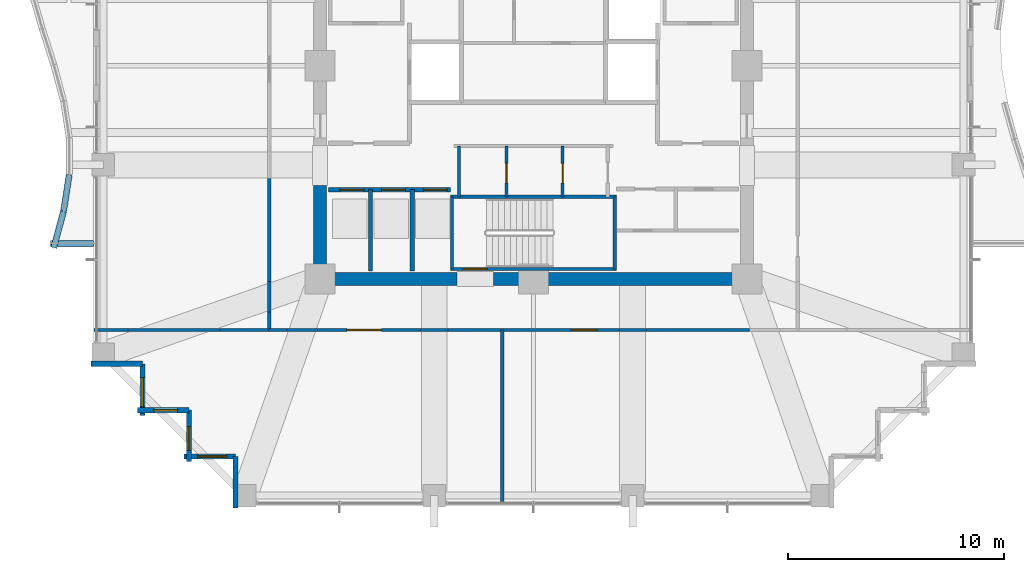
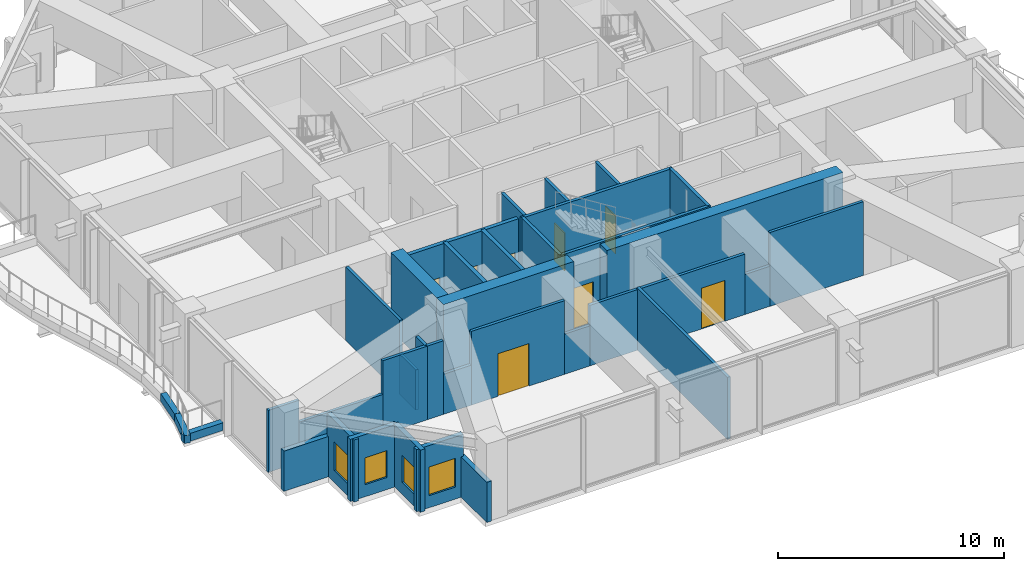
# One storey, part 33 of 40: 36 walls, 8 doors, 4 windows, 12 openings.
"""IFC4 building model written with IfcOpenShell, lengths in metres."""

from ifc_helpers import new_model, si_unit, direction, frame, frame_2d, origin, place, context, subcontext, project, spatial, rectangle, extrude, material, layer, layer_set, type_object, element, fill, save


model = new_model("IFC4")

# Units and contexts
model_context = context("Model", 3, precision=1e-05, world=origin(), true_north=direction((0.0, 1.0)))
body_context = subcontext(model_context, "Body", "Model", "MODEL_VIEW")
ifc_project = project(units=[si_unit("LENGTHUNIT", "METRE"), si_unit("AREAUNIT", "SQUARE_METRE"), si_unit("VOLUMEUNIT", "CUBIC_METRE"), si_unit("PLANEANGLEUNIT", "RADIAN"), si_unit("MASSUNIT", "GRAM", prefix="KILO")], contexts=[model_context])

# Site, building, storey
site_placement = place(None, origin())
site = spatial("IfcSite", under=ifc_project, at=site_placement, CompositionType="ELEMENT")
building_placement = place(site_placement, origin())
building = spatial("IfcBuilding", under=site, at=building_placement, Name="Kolvaren Belvedere", CompositionType="ELEMENT")
storey_placement = place(building_placement, frame((0.0, 0.0, 68.0)))
storey = spatial("IfcBuildingStorey", under=building, at=storey_placement, Name="L19", CompositionType="ELEMENT", Elevation=68.0)

# Walls
ifc_material_1 = material(Name="Concrete C60/75", Category="concrete")
ifc_layer_1 = layer(ifc_material_1, 0.60009765625)
ifc_layer_set_1 = layer_set([ifc_layer_1], Name="Concrete C60/75")
wall_type_1 = type_object("IfcWallType", Name="CW-CORE-600", PredefinedType="SHEAR", material=ifc_layer_set_1)
wall_1_placement = place(storey_placement, frame((10.199951171875, -9.89990234375, 0.0), z_axis=(0.0, 0.0, 1.0), x_axis=(-1.0, 0.0, 0.0)))
element("IfcWall", 1, at=wall_1_placement, inside=storey, type_object=wall_type_1, Name="L19 South Core Shear Wall 1", PredefinedType="SHEAR", context=body_context, shape_type="SweptSolid", body=[
    extrude(rectangle(XDim=12.06005859375, YDim=0.60009765625, at=frame_2d((6.030029296875, 0.0))), origin(), (0.0, 0.0, 1.0), 4.199951171875),
])
wall_2_placement = place(storey_placement, frame((-3.5400390625, -9.89990234375, 0.0), z_axis=(0.0, 0.0, 1.0), x_axis=(-1.0, 0.0, 0.0)))
element("IfcWall", 2, at=wall_2_placement, inside=storey, type_object=wall_type_1, Name="L19 South Core Shear Wall 2", PredefinedType="SHEAR", context=body_context, shape_type="SweptSolid", body=[
    extrude(rectangle(XDim=6.659912109375, YDim=0.60009765625, at=frame_2d((3.330078125, 0.0))), origin(), (0.0, 0.0, 1.0), 4.199951171875),
])
wall_3_placement = place(storey_placement, frame((-9.89990234375, -9.60009765625, 0.0), z_axis=(0.0, 0.0, 1.0), x_axis=(0.0, 1.0, 0.0)))
element("IfcWall", 3, at=wall_3_placement, inside=storey, type_object=wall_type_1, Name="L19 West Core Shear Wall 1", PredefinedType="SHEAR", context=body_context, shape_type="SweptSolid", body=[
    extrude(rectangle(XDim=4.050048828125, YDim=0.60009765625, at=frame_2d((2.02490234375, 0.0))), origin(), (0.0, 0.0, 1.0), 4.199951171875),
])

# Wall, opening, door
ifc_material_2 = material(Name="Concrete C50/60", Category="concrete")
ifc_layer_2 = layer(ifc_material_2, 0.159912109375)
ifc_layer_set_2 = layer_set([ifc_layer_2], Name="Concrete C50/60")
wall_type_2 = type_object("IfcWallType", Name="CW-STAIR-160", PredefinedType="SHEAR", material=ifc_layer_set_2)
wall_4_placement = place(storey_placement, frame((3.860107421875, -9.429931640625, 0.0), z_axis=(0.0, 0.0, 1.0), x_axis=(-1.0, 0.0, 0.0)))
wall_4 = element("IfcWall", 4, at=wall_4_placement, inside=storey, type_object=wall_type_2, Name="L19 Stair ST-3 South Shear Wall", PredefinedType="SHEAR", context=body_context, shape_type="SweptSolid", body=[
    extrude(rectangle(XDim=7.72021484375, YDim=0.159912109375, at=frame_2d((3.860107421875, 0.0))), origin(), (0.0, 0.0, 1.0), 4.199951171875),
])
opening_1_placement = place(wall_4_placement, frame((6.010009765625, 0.0, 0.0)))
opening_1 = element("IfcOpeningElement", 5, at=opening_1_placement, cuts=wall_4, Name="Opening D-FD90", PredefinedType="OPENING", context=body_context, shape_type="SweptSolid", body=[
    extrude(rectangle(XDim=1.10009765625, YDim=2.199951171875, at=frame_2d((0.550048828125, 1.10009765625))), frame((0.0, 0.08984375, 0.0), z_axis=(0.0, -1.0, 0.0), x_axis=(1.0, 0.0, 0.0)), (0.0, 0.0, 1.0), 0.179931640625),
])
ifc_material_3 = material(Name="Painted hollow stainless steel", Category="steel")
door_type_1 = type_object("IfcDoorType", Name="DR-FD90-1100", OperationType="NOTDEFINED", PredefinedType="DOOR", material=ifc_material_3)
door_1_placement = place(opening_1_placement, origin())
door_1 = element("IfcDoor", 6, at=door_1_placement, inside=storey, type_object=door_type_1, Name="L19 Stair ST-3 Exit Door", OperationType="SINGLE_SWING_RIGHT", OverallHeight=2.199951171875, OverallWidth=1.10009765625, PredefinedType="DOOR", context=body_context, shape_type="SweptSolid", body=[
    extrude(rectangle(XDim=1.10009765625, YDim=2.199951171875, at=frame_2d((0.550048828125, 1.10009765625))), frame((0.0, 0.02490234375, 0.0), z_axis=(0.0, -1.0, 0.0), x_axis=(1.0, 0.0, 0.0)), (0.0, 0.0, 1.0), 0.050048828125),
])
fill(opening_1, door_1)

# Walls
wall_5_placement = place(storey_placement, frame((-3.860107421875, -6.080078125, 0.0), z_axis=(0.0, 0.0, 1.0), x_axis=(1.0, 0.0, 0.0)))
element("IfcWall", 7, at=wall_5_placement, inside=storey, type_object=wall_type_2, Name="L19 Stair ST-3 North Shear Wall", PredefinedType="SHEAR", context=body_context, shape_type="SweptSolid", body=[
    extrude(rectangle(XDim=7.72021484375, YDim=0.159912109375, at=frame_2d((3.860107421875, 0.0))), origin(), (0.0, 0.0, 1.0), 4.199951171875),
])
for number, where, z_axis, x_axis, name in (
    (8, (-3.780029296875, -9.429931640625, 0.0), (0.0, 0.0, 1.0), (0.0, 1.0, 0.0), "L19 Stair ST-3 West Shear Wall"),
    (9, (3.780029296875, -9.429931640625, 0.0), (0.0, 0.0, 1.0), (0.0, 1.0, 0.0), "L19 Stair ST-3 East Shear Wall"),
):
    element("IfcWall", number, at=place(storey_placement, frame(where, z_axis=z_axis, x_axis=x_axis)), inside=storey, type_object=wall_type_2, Name=name, PredefinedType="SHEAR", context=body_context, shape_type="SweptSolid", body=[
        extrude(rectangle(XDim=3.349853515625, YDim=0.159912109375, at=frame_2d((1.6748046875, 0.0))), origin(), (0.0, 0.0, 1.0), 4.199951171875),
    ])
ifc_material_4 = material(Name="Gypsum fire-rated partition assembly", Category="gypsum")
ifc_layer_3 = layer(ifc_material_4, 0.14990234375)
ifc_layer_set_3 = layer_set([ifc_layer_3], Name="Gypsum fire-rated partition assembly")
wall_type_3 = type_object("IfcWallType", Name="WL-CORR-150", PredefinedType="PARTITIONING", material=ifc_layer_set_3)
wall_6_placement = place(storey_placement, frame((-12.260009765625, -12.260009765625, 0.0), z_axis=(0.0, 0.0, 1.0), x_axis=(1.0, 0.0, 0.0)))
element("IfcWall", 10, at=wall_6_placement, inside=storey, type_object=wall_type_3, Name="L19 South Corridor Wall", PredefinedType="PARTITIONING", context=body_context, shape_type="SweptSolid", body=[
    extrude(rectangle(XDim=0.829833984375, YDim=0.14990234375, at=frame_2d((0.4150390625, 0.0))), origin(), (0.0, 0.0, 1.0), 3.97998046875),
])
wall_7_placement = place(storey_placement, frame((-11.43017578125, -12.260009765625, 0.0), z_axis=(0.0, 0.0, 1.0), x_axis=(1.0, 0.0, 0.0)))
element("IfcWall", 11, at=wall_7_placement, inside=storey, type_object=wall_type_3, Name="L19 South Corridor Wall", PredefinedType="PARTITIONING", context=body_context, shape_type="SweptSolid", body=[
    extrude(rectangle(XDim=1.416748046875, YDim=0.14990234375, at=frame_2d((0.70849609375, 0.0))), origin(), (0.0, 0.0, 1.0), 2.1650390625),
])

# Wall, opening, door
wall_8_placement = place(storey_placement, frame((-10.013427734375, -12.260009765625, 0.0), z_axis=(0.0, 0.0, 1.0), x_axis=(1.0, 0.0, 0.0)))
wall_8 = element("IfcWall", 12, at=wall_8_placement, inside=storey, type_object=wall_type_3, Name="L19 South Corridor Wall", PredefinedType="PARTITIONING", context=body_context, shape_type="SweptSolid", body=[
    extrude(rectangle(XDim=4.771484375, YDim=0.14990234375, at=frame_2d((2.3857421875, 0.0))), origin(), (0.0, 0.0, 1.0), 3.97998046875),
])
opening_2_placement = place(wall_8_placement, frame((1.353515625, 0.0, 0.0)))
opening_2 = element("IfcOpeningElement", 13, at=opening_2_placement, cuts=wall_8, Name="Opening D-GL16", PredefinedType="OPENING", context=body_context, shape_type="SweptSolid", body=[
    extrude(rectangle(XDim=1.60009765625, YDim=2.300048828125, at=frame_2d((0.800048828125, 1.14990234375))), frame((0.0, 0.0849609375, 0.0), z_axis=(0.0, -1.0, 0.0), x_axis=(1.0, 0.0, 0.0)), (0.0, 0.0, 1.0), 0.169921875),
])
ifc_material_5 = material(Name="Anodised pale-metal aluminium & safety glass", Category="aluminium")
door_type_2 = type_object("IfcDoorType", Name="DR-GLAZ-1600", OperationType="DOUBLE_DOOR_SINGLE_SWING", PredefinedType="DOOR", material=ifc_material_5)
door_2_placement = place(opening_2_placement, origin())
door_2 = element("IfcDoor", 14, at=door_2_placement, inside=storey, type_object=door_type_2, Name="L19 Botanical Sky Transfer Lounge Door", OperationType="DOUBLE_DOOR_SINGLE_SWING", OverallHeight=2.300048828125, OverallWidth=1.60009765625, PredefinedType="DOOR", context=body_context, shape_type="SweptSolid", body=[
    extrude(rectangle(XDim=1.60009765625, YDim=2.300048828125, at=frame_2d((0.800048828125, 1.14990234375))), frame((0.0, 0.02490234375, 0.0), z_axis=(0.0, -1.0, 0.0), x_axis=(1.0, 0.0, 0.0)), (0.0, 0.0, 1.0), 0.050048828125),
])
fill(opening_2, door_2)

# Wall
wall_9_placement = place(storey_placement, frame((-5.241943359375, -12.260009765625, 0.0), z_axis=(0.0, 0.0, 1.0), x_axis=(1.0, 0.0, 0.0)))
element("IfcWall", 15, at=wall_9_placement, inside=storey, type_object=wall_type_3, Name="L19 South Corridor Wall", PredefinedType="PARTITIONING", context=body_context, shape_type="SweptSolid", body=[
    extrude(rectangle(XDim=1.283935546875, YDim=0.14990234375, at=frame_2d((0.64208984375, 0.0))), origin(), (0.0, 0.0, 1.0), 2.1650390625),
])

# Wall, opening, door
wall_10_placement = place(storey_placement, frame((-3.9580078125, -12.260009765625, 0.0), z_axis=(0.0, 0.0, 1.0), x_axis=(1.0, 0.0, 0.0)))
wall_10 = element("IfcWall", 16, at=wall_10_placement, inside=storey, type_object=wall_type_3, Name="L19 South Corridor Wall", PredefinedType="PARTITIONING", context=body_context, shape_type="SweptSolid", body=[
    extrude(rectangle(XDim=7.916015625, YDim=0.14990234375, at=frame_2d((3.9580078125, 0.0))), origin(), (0.0, 0.0, 1.0), 3.26904296875),
])
opening_3_placement = place(wall_10_placement, frame((5.7080078125, 0.0, 0.0)))
opening_3 = element("IfcOpeningElement", 17, at=opening_3_placement, cuts=wall_10, Name="Opening D-GL12", PredefinedType="OPENING", context=body_context, shape_type="SweptSolid", body=[
    extrude(rectangle(XDim=1.199951171875, YDim=2.199951171875, at=frame_2d((0.60009765625, 1.10009765625))), frame((0.0, 0.0849609375, 0.0), z_axis=(0.0, -1.0, 0.0), x_axis=(1.0, 0.0, 0.0)), (0.0, 0.0, 1.0), 0.169921875),
])
ifc_material_6 = material(Name="Anodised pale-metal aluminium & safety glass", Category="aluminium")
door_type_3 = type_object("IfcDoorType", Name="DR-GLAZ-1200", OperationType="DOUBLE_DOOR_SINGLE_SWING", PredefinedType="DOOR", material=ifc_material_6)
door_3_placement = place(opening_3_placement, origin())
door_3 = element("IfcDoor", 18, at=door_3_placement, inside=storey, type_object=door_type_3, Name="L19 Conservatory Tea & Espresso Salon Door", OperationType="DOUBLE_DOOR_SINGLE_SWING", OverallHeight=2.199951171875, OverallWidth=1.199951171875, PredefinedType="DOOR", context=body_context, shape_type="SweptSolid", body=[
    extrude(rectangle(XDim=1.199951171875, YDim=2.199951171875, at=frame_2d((0.60009765625, 1.10009765625))), frame((0.0, 0.02490234375, 0.0), z_axis=(0.0, -1.0, 0.0), x_axis=(1.0, 0.0, 0.0)), (0.0, 0.0, 1.0), 0.050048828125),
])
fill(opening_3, door_3)

# Walls
wall_11_placement = place(storey_placement, frame((3.9580078125, -12.260009765625, 0.0), z_axis=(0.0, 0.0, 1.0), x_axis=(1.0, 0.0, 0.0)))
element("IfcWall", 19, at=wall_11_placement, inside=storey, type_object=wall_type_3, Name="L19 South Corridor Wall", PredefinedType="PARTITIONING", context=body_context, shape_type="SweptSolid", body=[
    extrude(rectangle(XDim=1.283935546875, YDim=0.14990234375, at=frame_2d((0.64208984375, 0.0))), origin(), (0.0, 0.0, 1.0), 2.1650390625),
])
wall_12_placement = place(storey_placement, frame((5.241943359375, -12.260009765625, 0.0), z_axis=(0.0, 0.0, 1.0), x_axis=(1.0, 0.0, 0.0)))
element("IfcWall", 20, at=wall_12_placement, inside=storey, type_object=wall_type_3, Name="L19 South Corridor Wall", PredefinedType="PARTITIONING", context=body_context, shape_type="SweptSolid", body=[
    extrude(rectangle(XDim=4.771484375, YDim=0.14990234375, at=frame_2d((2.3857421875, 0.0))), origin(), (0.0, 0.0, 1.0), 3.97998046875),
])
wall_13_placement = place(storey_placement, frame((-12.260009765625, -12.260009765625, 0.0), z_axis=(0.0, 0.0, 1.0), x_axis=(0.0, 1.0, 0.0)))
element("IfcWall", 21, at=wall_13_placement, inside=storey, type_object=wall_type_3, Name="L19 West Corridor Wall", PredefinedType="PARTITIONING", context=body_context, shape_type="SweptSolid", body=[
    extrude(rectangle(XDim=0.829833984375, YDim=0.14990234375, at=frame_2d((0.4150390625, 0.0))), origin(), (0.0, 0.0, 1.0), 3.97998046875),
])
wall_14_placement = place(storey_placement, frame((-12.260009765625, -11.43017578125, 0.0), z_axis=(0.0, 0.0, 1.0), x_axis=(0.0, 1.0, 0.0)))
element("IfcWall", 22, at=wall_14_placement, inside=storey, type_object=wall_type_3, Name="L19 West Corridor Wall", PredefinedType="PARTITIONING", context=body_context, shape_type="SweptSolid", body=[
    extrude(rectangle(XDim=1.416748046875, YDim=0.14990234375, at=frame_2d((0.70849609375, 0.0))), origin(), (0.0, 0.0, 1.0), 2.1650390625),
])
wall_15_placement = place(storey_placement, frame((-12.260009765625, -10.013427734375, 0.0), z_axis=(0.0, 0.0, 1.0), x_axis=(0.0, 1.0, 0.0)))
element("IfcWall", 23, at=wall_15_placement, inside=storey, type_object=wall_type_3, Name="L19 West Corridor Wall", PredefinedType="PARTITIONING", context=body_context, shape_type="SweptSolid", body=[
    extrude(rectangle(XDim=4.771484375, YDim=0.14990234375, at=frame_2d((2.3857421875, 0.0))), origin(), (0.0, 0.0, 1.0), 3.97998046875),
])
wall_16_placement = place(storey_placement, frame((-20.3798828125, -12.260009765625, 0.0), z_axis=(0.0, 0.0, 1.0), x_axis=(1.0, 0.0, 0.0)))
element("IfcWall", 24, at=wall_16_placement, inside=storey, type_object=wall_type_3, Name="L19 Sector Wall PW-L19-QSW", PredefinedType="PARTITIONING", context=body_context, shape_type="SweptSolid", body=[
    extrude(rectangle(XDim=1.5625, YDim=0.14990234375, at=frame_2d((0.78125, 0.0))), origin(), (0.0, 0.0, 1.0), 3.34912109375),
])
wall_17_placement = place(storey_placement, frame((-18.8173828125, -12.260009765625, 0.0), z_axis=(0.0, 0.0, 1.0), x_axis=(1.0, 0.0, 0.0)))
element("IfcWall", 25, at=wall_17_placement, inside=storey, type_object=wall_type_3, Name="L19 Sector Wall PW-L19-QSW", PredefinedType="PARTITIONING", context=body_context, shape_type="SweptSolid", body=[
    extrude(rectangle(XDim=4.281494140625, YDim=0.14990234375, at=frame_2d((2.140625, 0.0))), origin(), (0.0, 0.0, 1.0), 2.1650390625),
])
wall_18_placement = place(storey_placement, frame((-14.535888671875, -12.260009765625, 0.0), z_axis=(0.0, 0.0, 1.0), x_axis=(1.0, 0.0, 0.0)))
element("IfcWall", 26, at=wall_18_placement, inside=storey, type_object=wall_type_3, Name="L19 Sector Wall PW-L19-QSW", PredefinedType="PARTITIONING", context=body_context, shape_type="SweptSolid", body=[
    extrude(rectangle(XDim=2.27587890625, YDim=0.14990234375, at=frame_2d((1.137939453125, 0.0))), origin(), (0.0, 0.0, 1.0), 3.97998046875),
])
ifc_material_7 = material(Name="Insulated pale-metal facade wall assembly", Category="aluminium")
ifc_layer_4 = layer(ifc_material_7, 0.239990234375)
ifc_layer_set_4 = layer_set([ifc_layer_4], Name="Insulated pale-metal facade wall assembly")
wall_type_4 = type_object("IfcWallType", Name="WL-EXT-240", PredefinedType="STANDARD", material=ifc_layer_set_4)
wall_19_placement = place(storey_placement, frame((-18.1298828125, -13.830078125, 0.0), z_axis=(0.0, 0.0, 1.0), x_axis=(-1.0, 0.0, 0.0)))
element("IfcWall", 27, at=wall_19_placement, inside=storey, type_object=wall_type_4, Name="L19 Serrated Corner Facade Wall 23", PredefinedType="STANDARD", context=body_context, shape_type="SweptSolid", body=[
    extrude(rectangle(XDim=2.39013671875, YDim=0.239990234375, at=frame_2d((1.195068359375, 0.0))), origin(), (0.0, 0.0, 1.0), 2.175048828125),
])

# Wall, opening, window
wall_20_placement = place(storey_placement, frame((-18.1298828125, -16.219970703125, 0.0), z_axis=(0.0, 0.0, 1.0), x_axis=(0.0, 1.0, 0.0)))
wall_20 = element("IfcWall", 28, at=wall_20_placement, inside=storey, type_object=wall_type_4, Name="L19 Serrated Corner Facade Wall 24", PredefinedType="STANDARD", context=body_context, shape_type="SweptSolid", body=[
    extrude(rectangle(XDim=2.389892578125, YDim=0.239990234375, at=frame_2d((1.19482421875, 0.0))), origin(), (0.0, 0.0, 1.0), 3.35888671875),
])
opening_4_placement = place(wall_20_placement, frame((0.39990234375, 0.0, 0.64990234375)))
opening_4 = element("IfcOpeningElement", 29, at=opening_4_placement, cuts=wall_20, Name="Opening W-1350", PredefinedType="OPENING", context=body_context, shape_type="SweptSolid", body=[
    extrude(rectangle(XDim=1.35009765625, YDim=1.550048828125, at=frame_2d((0.675048828125, 0.77490234375))), frame((0.0, 0.1298828125, 0.0), z_axis=(0.0, -1.0, 0.0), x_axis=(1.0, 0.0, 0.0)), (0.0, 0.0, 1.0), 0.260009765625),
])
ifc_material_8 = material(Name="Low-iron triple insulated glass", Category="glass")
window_type_1 = type_object("IfcWindowType", Name="WN-CORN-1350", PartitioningType="SINGLE_PANEL", PredefinedType="WINDOW", material=ifc_material_8)
window_1_placement = place(opening_4_placement, origin())
window_1 = element("IfcWindow", 30, at=window_1_placement, inside=storey, type_object=window_type_1, Name="L19 Serrated Corner Vision Window 24", OverallHeight=1.550048828125, OverallWidth=1.35009765625, PartitioningType="SINGLE_PANEL", PredefinedType="WINDOW", context=body_context, shape_type="SweptSolid", body=[
    extrude(rectangle(XDim=1.35009765625, YDim=1.550048828125, at=frame_2d((0.675048828125, 0.77490234375))), frame((0.0, 0.030029296875, 0.0), z_axis=(0.0, -1.0, 0.0), x_axis=(1.0, 0.0, 0.0)), (0.0, 0.0, 1.0), 0.06005859375),
])
fill(opening_4, window_1)

wall_21_placement = place(storey_placement, frame((-15.97998046875, -15.97998046875, 0.0), z_axis=(0.0, 0.0, 1.0), x_axis=(-1.0, 0.0, 0.0)))
wall_21 = element("IfcWall", 31, at=wall_21_placement, inside=storey, type_object=wall_type_4, Name="L19 Serrated Corner Facade Wall 25", PredefinedType="STANDARD", context=body_context, shape_type="SweptSolid", body=[
    extrude(rectangle(XDim=2.39013671875, YDim=0.239990234375, at=frame_2d((1.195068359375, 0.0))), origin(), (0.0, 0.0, 1.0), 3.35888671875),
])
opening_5_placement = place(wall_21_placement, frame((0.52490234375, 0.0, 0.64990234375)))
opening_5 = element("IfcOpeningElement", 32, at=opening_5_placement, cuts=wall_21, Name="Opening W-1100", PredefinedType="OPENING", context=body_context, shape_type="SweptSolid", body=[
    extrude(rectangle(XDim=1.10009765625, YDim=1.449951171875, at=frame_2d((0.550048828125, 0.72509765625))), frame((0.0, 0.1298828125, 0.0), z_axis=(0.0, -1.0, 0.0), x_axis=(1.0, 0.0, 0.0)), (0.0, 0.0, 1.0), 0.260009765625),
])
ifc_material_9 = material(Name="Low-iron triple insulated glass", Category="glass")
window_type_2 = type_object("IfcWindowType", Name="WN-CORN-1100", PartitioningType="SINGLE_PANEL", PredefinedType="WINDOW", material=ifc_material_9)
window_2_placement = place(opening_5_placement, origin())
window_2 = element("IfcWindow", 33, at=window_2_placement, inside=storey, type_object=window_type_2, Name="L19 Serrated Corner Vision Window 25", OverallHeight=1.449951171875, OverallWidth=1.10009765625, PartitioningType="SINGLE_PANEL", PredefinedType="WINDOW", context=body_context, shape_type="SweptSolid", body=[
    extrude(rectangle(XDim=1.10009765625, YDim=1.449951171875, at=frame_2d((0.550048828125, 0.72509765625))), frame((0.0, 0.030029296875, 0.0), z_axis=(0.0, -1.0, 0.0), x_axis=(1.0, 0.0, 0.0)), (0.0, 0.0, 1.0), 0.06005859375),
])
fill(opening_5, window_2)

wall_22_placement = place(storey_placement, frame((-15.97998046875, -18.3701171875, 0.0), z_axis=(0.0, 0.0, 1.0), x_axis=(0.0, 1.0, 0.0)))
wall_22 = element("IfcWall", 34, at=wall_22_placement, inside=storey, type_object=wall_type_4, Name="L19 Serrated Corner Facade Wall 26", PredefinedType="STANDARD", context=body_context, shape_type="SweptSolid", body=[
    extrude(rectangle(XDim=2.39013671875, YDim=0.239990234375, at=frame_2d((1.195068359375, 0.0))), origin(), (0.0, 0.0, 1.0), 3.35888671875),
])
opening_6_placement = place(wall_22_placement, frame((0.52490234375, 0.0, 0.64990234375)))
opening_6 = element("IfcOpeningElement", 35, at=opening_6_placement, cuts=wall_22, Name="Opening W-1100", PredefinedType="OPENING", context=body_context, shape_type="SweptSolid", body=[
    extrude(rectangle(XDim=1.10009765625, YDim=1.449951171875, at=frame_2d((0.550048828125, 0.72509765625))), frame((0.0, 0.1298828125, 0.0), z_axis=(0.0, -1.0, 0.0), x_axis=(1.0, 0.0, 0.0)), (0.0, 0.0, 1.0), 0.260009765625),
])
window_3_placement = place(opening_6_placement, origin())
window_3 = element("IfcWindow", 36, at=window_3_placement, inside=storey, type_object=window_type_2, Name="L19 Serrated Corner Vision Window 26", OverallHeight=1.449951171875, OverallWidth=1.10009765625, PartitioningType="SINGLE_PANEL", PredefinedType="WINDOW", context=body_context, shape_type="SweptSolid", body=[
    extrude(rectangle(XDim=1.10009765625, YDim=1.449951171875, at=frame_2d((0.550048828125, 0.72509765625))), frame((0.0, 0.030029296875, 0.0), z_axis=(0.0, -1.0, 0.0), x_axis=(1.0, 0.0, 0.0)), (0.0, 0.0, 1.0), 0.06005859375),
])
fill(opening_6, window_3)

wall_23_placement = place(storey_placement, frame((-13.830078125, -18.1298828125, 0.0), z_axis=(0.0, 0.0, 1.0), x_axis=(-1.0, 0.0, 0.0)))
wall_23 = element("IfcWall", 37, at=wall_23_placement, inside=storey, type_object=wall_type_4, Name="L19 Serrated Corner Facade Wall 27", PredefinedType="STANDARD", context=body_context, shape_type="SweptSolid", body=[
    extrude(rectangle(XDim=2.389892578125, YDim=0.239990234375, at=frame_2d((1.19482421875, 0.0))), origin(), (0.0, 0.0, 1.0), 3.35888671875),
])
opening_7_placement = place(wall_23_placement, frame((0.39990234375, 0.0, 0.64990234375)))
opening_7 = element("IfcOpeningElement", 38, at=opening_7_placement, cuts=wall_23, Name="Opening W-1350", PredefinedType="OPENING", context=body_context, shape_type="SweptSolid", body=[
    extrude(rectangle(XDim=1.35009765625, YDim=1.550048828125, at=frame_2d((0.675048828125, 0.77490234375))), frame((0.0, 0.1298828125, 0.0), z_axis=(0.0, -1.0, 0.0), x_axis=(1.0, 0.0, 0.0)), (0.0, 0.0, 1.0), 0.260009765625),
])
window_4_placement = place(opening_7_placement, origin())
window_4 = element("IfcWindow", 39, at=window_4_placement, inside=storey, type_object=window_type_1, Name="L19 Serrated Corner Vision Window 27", OverallHeight=1.550048828125, OverallWidth=1.35009765625, PartitioningType="SINGLE_PANEL", PredefinedType="WINDOW", context=body_context, shape_type="SweptSolid", body=[
    extrude(rectangle(XDim=1.35009765625, YDim=1.550048828125, at=frame_2d((0.675048828125, 0.77490234375))), frame((0.0, 0.030029296875, 0.0), z_axis=(0.0, -1.0, 0.0), x_axis=(1.0, 0.0, 0.0)), (0.0, 0.0, 1.0), 0.06005859375),
])
fill(opening_7, window_4)

# Walls
wall_24_placement = place(storey_placement, frame((-13.830078125, -20.52001953125, 0.0), z_axis=(0.0, 0.0, 1.0), x_axis=(0.0, 1.0, 0.0)))
element("IfcWall", 40, at=wall_24_placement, inside=storey, type_object=wall_type_4, Name="L19 Serrated Corner Facade Wall 28", PredefinedType="STANDARD", context=body_context, shape_type="SweptSolid", body=[
    extrude(rectangle(XDim=2.39013671875, YDim=0.239990234375, at=frame_2d((1.195068359375, 0.0))), origin(), (0.0, 0.0, 1.0), 2.175048828125),
])
ifc_material_10 = material(Name="Gypsum acoustic partition assembly", Category="gypsum")
ifc_layer_5 = layer(ifc_material_10, 0.14990234375)
ifc_layer_set_5 = layer_set([ifc_layer_5], Name="Gypsum acoustic partition assembly")
wall_type_5 = type_object("IfcWallType", Name="WL-PART-150", PredefinedType="PARTITIONING", material=ifc_layer_set_5)
wall_25_placement = place(storey_placement, frame((-3.449951171875, -6.080078125, 0.0), z_axis=(0.0, 0.0, 1.0), x_axis=(0.0, 1.0, 0.0)))
element("IfcWall", 41, at=wall_25_placement, inside=storey, type_object=wall_type_5, Name="L19 South Core Service West Wall", PredefinedType="PARTITIONING", context=body_context, shape_type="SweptSolid", body=[
    extrude(rectangle(XDim=2.360107421875, YDim=0.14990234375, at=frame_2d((1.18017578125, 0.0))), origin(), (0.0, 0.0, 1.0), 3.97998046875),
])

# Wall, opening, door
wall_26_placement = place(storey_placement, frame((1.35009765625, -6.080078125, 0.0), z_axis=(0.0, 0.0, 1.0), x_axis=(0.0, 1.0, 0.0)))
wall_26 = element("IfcWall", 42, at=wall_26_placement, inside=storey, type_object=wall_type_5, Name="L19 Core Service Divider 1", PredefinedType="PARTITIONING", context=body_context, shape_type="SweptSolid", body=[
    extrude(rectangle(XDim=2.360107421875, YDim=0.14990234375, at=frame_2d((1.18017578125, 0.0))), origin(), (0.0, 0.0, 1.0), 3.97998046875),
])
opening_8_placement = place(wall_26_placement, frame((0.64990234375, 0.0, 0.0)))
opening_8 = element("IfcOpeningElement", 43, at=opening_8_placement, cuts=wall_26, Name="Opening D-INT90", PredefinedType="OPENING", context=body_context, shape_type="SweptSolid", body=[
    extrude(rectangle(XDim=0.89990234375, YDim=2.06005859375, at=frame_2d((0.449951171875, 1.030029296875))), frame((0.0, 0.0849609375, 0.0), z_axis=(0.0, -1.0, 0.0), x_axis=(1.0, 0.0, 0.0)), (0.0, 0.0, 1.0), 0.169921875),
])
ifc_material_11 = material(Name="Stained Pacific white oak", Category="timber")
door_type_4 = type_object("IfcDoorType", Name="DR-INT-900", OperationType="NOTDEFINED", PredefinedType="DOOR", material=ifc_material_11)
door_4_placement = place(opening_8_placement, origin())
door_4 = element("IfcDoor", 44, at=door_4_placement, inside=storey, type_object=door_type_4, Name="L19 Data Closet Door", OperationType="SINGLE_SWING_RIGHT", OverallHeight=2.06005859375, OverallWidth=0.89990234375, PredefinedType="DOOR", context=body_context, shape_type="SweptSolid", body=[
    extrude(rectangle(XDim=0.89990234375, YDim=2.06005859375, at=frame_2d((0.449951171875, 1.030029296875))), frame((0.0, 0.02490234375, 0.0), z_axis=(0.0, -1.0, 0.0), x_axis=(1.0, 0.0, 0.0)), (0.0, 0.0, 1.0), 0.050048828125),
])
fill(opening_8, door_4)

wall_27_placement = place(storey_placement, frame((-1.25, -6.080078125, 0.0), z_axis=(0.0, 0.0, 1.0), x_axis=(0.0, 1.0, 0.0)))
wall_27 = element("IfcWall", 45, at=wall_27_placement, inside=storey, type_object=wall_type_5, Name="L19 Core Service Divider 2", PredefinedType="PARTITIONING", context=body_context, shape_type="SweptSolid", body=[
    extrude(rectangle(XDim=2.360107421875, YDim=0.14990234375, at=frame_2d((1.18017578125, 0.0))), origin(), (0.0, 0.0, 1.0), 3.97998046875),
])
opening_9_placement = place(wall_27_placement, frame((0.64990234375, 0.0, 0.0)))
opening_9 = element("IfcOpeningElement", 46, at=opening_9_placement, cuts=wall_27, Name="Opening D-INT90", PredefinedType="OPENING", context=body_context, shape_type="SweptSolid", body=[
    extrude(rectangle(XDim=0.89990234375, YDim=2.06005859375, at=frame_2d((0.449951171875, 1.030029296875))), frame((0.0, 0.0849609375, 0.0), z_axis=(0.0, -1.0, 0.0), x_axis=(1.0, 0.0, 0.0)), (0.0, 0.0, 1.0), 0.169921875),
])
door_5_placement = place(opening_9_placement, origin())
door_5 = element("IfcDoor", 47, at=door_5_placement, inside=storey, type_object=door_type_4, Name="L19 Janitor Room Door", OperationType="SINGLE_SWING_LEFT", OverallHeight=2.06005859375, OverallWidth=0.89990234375, PredefinedType="DOOR", context=body_context, shape_type="SweptSolid", body=[
    extrude(rectangle(XDim=0.89990234375, YDim=2.06005859375, at=frame_2d((0.449951171875, 1.030029296875))), frame((0.0, 0.02490234375, 0.0), z_axis=(0.0, -1.0, 0.0), x_axis=(1.0, 0.0, 0.0)), (0.0, 0.0, 1.0), 0.050048828125),
])
fill(opening_9, door_5)

# Walls
wall_28_placement = place(storey_placement, frame((-1.449951171875, -20.280029296875, 0.0), z_axis=(0.0, 0.0, 1.0), x_axis=(0.0, 1.0, 0.0)))
element("IfcWall", 48, at=wall_28_placement, inside=storey, type_object=wall_type_5, Name="L19 South Salon Divider", PredefinedType="PARTITIONING", context=body_context, shape_type="SweptSolid", body=[
    extrude(rectangle(XDim=8.02001953125, YDim=0.14990234375, at=frame_2d((4.010009765625, 0.0))), origin(), (0.0, 0.0, 1.0), 3.34912109375),
])
ifc_material_12 = material(Name="Precast concrete C40/50", Category="concrete")
ifc_layer_6 = layer(ifc_material_12, 0.300048828125)
ifc_layer_set_6 = layer_set([ifc_layer_6], Name="Precast concrete C40/50")
wall_type_6 = type_object("IfcWallType", Name="WL-PLANTER-300", PredefinedType="PARAPET", material=ifc_layer_set_6)
wall_29_placement = place(storey_placement, frame((-21.535888671875, -5.064453125, -0.1201171875), z_axis=(0.0, 0.0, 1.0), x_axis=(-0.152251460091, -0.988341789514, 0.0)))
element("IfcWall", 49, at=wall_29_placement, inside=storey, type_object=wall_type_6, Name="L19 Precast Structural Planter Wall BAL-W-9", PredefinedType="PARAPET", context=body_context, shape_type="SweptSolid", body=[
    extrude(rectangle(XDim=1.69970703125, YDim=0.280029296875, at=frame_2d((0.849853515625, 0.0))), origin(), (0.0, 0.0, 1.0), 0.420166015625),
])
wall_30_placement = place(storey_placement, frame((-21.798095703125, -6.76171875, -0.1201171875), z_axis=(0.0, 0.0, 1.0), x_axis=(-0.260682852326, -0.965424492388, 0.0)))
element("IfcWall", 50, at=wall_30_placement, inside=storey, type_object=wall_type_6, Name="L19 Precast Structural Planter Wall BAL-W-10", PredefinedType="PARAPET", context=body_context, shape_type="SweptSolid", body=[
    extrude(rectangle(XDim=1.739990234375, YDim=0.280029296875, at=frame_2d((0.8701171875, 0.0))), origin(), (0.0, 0.0, 1.0), 0.420166015625),
])
wall_31_placement = place(storey_placement, frame((-22.40625, -8.239990234375, -0.1201171875), z_axis=(0.0, 0.0, 1.0), x_axis=(1.0, 0.0, 0.0)))
element("IfcWall", 51, at=wall_31_placement, inside=storey, type_object=wall_type_6, Name="L19 Precast Structural Planter Wall BAL-W-11", PredefinedType="PARAPET", context=body_context, shape_type="SweptSolid", body=[
    extrude(rectangle(XDim=2.00634765625, YDim=0.280029296875, at=frame_2d((1.003173828125, 0.0))), origin(), (0.0, 0.0, 1.0), 0.420166015625),
])

# Wall, openings, doors
ifc_material_13 = material(Name="Concrete C50/60", Category="concrete")
ifc_layer_7 = layer(ifc_material_13, 0.199951171875)
ifc_layer_set_7 = layer_set([ifc_layer_7], Name="Concrete C50/60")
wall_type_7 = type_object("IfcWallType", Name="WL-SHAFT-200", PredefinedType="SOLIDWALL", material=ifc_layer_set_7)
wall_32_placement = place(storey_placement, frame((-9.52001953125, -5.75, 0.0), z_axis=(0.0, 0.0, 1.0), x_axis=(1.0, 0.0, 0.0)))
wall_32 = element("IfcWall", 52, at=wall_32_placement, inside=storey, type_object=wall_type_7, Name="L19 Mid-Rise Lift Bank Front Wall", PredefinedType="SOLIDWALL", context=body_context, shape_type="SweptSolid", body=[
    extrude(rectangle(XDim=5.659912109375, YDim=0.199951171875, at=frame_2d((2.830078125, 0.0))), origin(), (0.0, 0.0, 1.0), 3.97998046875),
])
opening_10_placement = place(wall_32_placement, frame((0.550048828125, 0.0, 0.0)))
opening_10 = element("IfcOpeningElement", 53, at=opening_10_placement, cuts=wall_32, Name="Opening LD-11", PredefinedType="OPENING", context=body_context, shape_type="SweptSolid", body=[
    extrude(rectangle(XDim=1.10009765625, YDim=2.199951171875, at=frame_2d((0.550048828125, 1.10009765625))), frame((0.0, 0.10986328125, 0.0), z_axis=(0.0, -1.0, 0.0), x_axis=(1.0, 0.0, 0.0)), (0.0, 0.0, 1.0), 0.219970703125),
])
opening_11_placement = place(wall_32_placement, frame((2.47998046875, 0.0, 0.0)))
opening_11 = element("IfcOpeningElement", 54, at=opening_11_placement, cuts=wall_32, Name="Opening LD-11", PredefinedType="OPENING", context=body_context, shape_type="SweptSolid", body=[
    extrude(rectangle(XDim=1.10009765625, YDim=2.199951171875, at=frame_2d((0.550048828125, 1.10009765625))), frame((0.0, 0.10986328125, 0.0), z_axis=(0.0, -1.0, 0.0), x_axis=(1.0, 0.0, 0.0)), (0.0, 0.0, 1.0), 0.219970703125),
])
opening_12_placement = place(wall_32_placement, frame((4.409912109375, 0.0, 0.0)))
opening_12 = element("IfcOpeningElement", 55, at=opening_12_placement, cuts=wall_32, Name="Opening LD-11", PredefinedType="OPENING", context=body_context, shape_type="SweptSolid", body=[
    extrude(rectangle(XDim=1.10009765625, YDim=2.199951171875, at=frame_2d((0.550048828125, 1.10009765625))), frame((0.0, 0.10986328125, 0.0), z_axis=(0.0, -1.0, 0.0), x_axis=(1.0, 0.0, 0.0)), (0.0, 0.0, 1.0), 0.219970703125),
])
ifc_material_14 = material(Name="Brushed stainless steel", Category="steel")
door_type_5 = type_object("IfcDoorType", Name="DR-LIFT-1100", OperationType="DOUBLE_DOOR_SLIDING", PredefinedType="DOOR", material=ifc_material_14)
door_6_placement = place(opening_10_placement, origin())
door_6 = element("IfcDoor", 56, at=door_6_placement, inside=storey, type_object=door_type_5, Name="L19 Passenger Lift P4 Landing Door", OperationType="DOUBLE_DOOR_SLIDING", OverallHeight=2.199951171875, OverallWidth=1.10009765625, PredefinedType="DOOR", context=body_context, shape_type="SweptSolid", body=[
    extrude(rectangle(XDim=1.10009765625, YDim=2.199951171875, at=frame_2d((0.550048828125, 1.10009765625))), frame((0.0, 0.02490234375, 0.0), z_axis=(0.0, -1.0, 0.0), x_axis=(1.0, 0.0, 0.0)), (0.0, 0.0, 1.0), 0.050048828125),
])
fill(opening_10, door_6)
door_7_placement = place(opening_11_placement, origin())
door_7 = element("IfcDoor", 57, at=door_7_placement, inside=storey, type_object=door_type_5, Name="L19 Passenger Lift P5 Landing Door", OperationType="DOUBLE_DOOR_SLIDING", OverallHeight=2.199951171875, OverallWidth=1.10009765625, PredefinedType="DOOR", context=body_context, shape_type="SweptSolid", body=[
    extrude(rectangle(XDim=1.10009765625, YDim=2.199951171875, at=frame_2d((0.550048828125, 1.10009765625))), frame((0.0, 0.02490234375, 0.0), z_axis=(0.0, -1.0, 0.0), x_axis=(1.0, 0.0, 0.0)), (0.0, 0.0, 1.0), 0.050048828125),
])
fill(opening_11, door_7)
door_8_placement = place(opening_12_placement, origin())
door_8 = element("IfcDoor", 58, at=door_8_placement, inside=storey, type_object=door_type_5, Name="L19 Passenger Lift P6 Landing Door", OperationType="DOUBLE_DOOR_SLIDING", OverallHeight=2.199951171875, OverallWidth=1.10009765625, PredefinedType="DOOR", context=body_context, shape_type="SweptSolid", body=[
    extrude(rectangle(XDim=1.10009765625, YDim=2.199951171875, at=frame_2d((0.550048828125, 1.10009765625))), frame((0.0, 0.02490234375, 0.0), z_axis=(0.0, -1.0, 0.0), x_axis=(1.0, 0.0, 0.0)), (0.0, 0.0, 1.0), 0.050048828125),
])
fill(opening_12, door_8)

# Walls
for number, where, z_axis, x_axis, name in (
    (59, (-7.56005859375, -9.52001953125, 0.0), (0.0, 0.0, 1.0), (0.0, 1.0, 0.0), "L19 Mid-Rise Hoistway Divider 1"),
    (60, (-5.6298828125, -9.52001953125, 0.0), (0.0, 0.0, 1.0), (0.0, 1.0, 0.0), "L19 Mid-Rise Hoistway Divider 2"),
):
    element("IfcWall", number, at=place(storey_placement, frame(where, z_axis=z_axis, x_axis=x_axis)), inside=storey, type_object=wall_type_7, Name=name, PredefinedType="SOLIDWALL", context=body_context, shape_type="SweptSolid", body=[
        extrude(rectangle(XDim=3.77001953125, YDim=0.199951171875, at=frame_2d((1.885009765625, 0.0))), origin(), (0.0, 0.0, 1.0), 3.97998046875),
    ])

save(model, "model.ifc")
